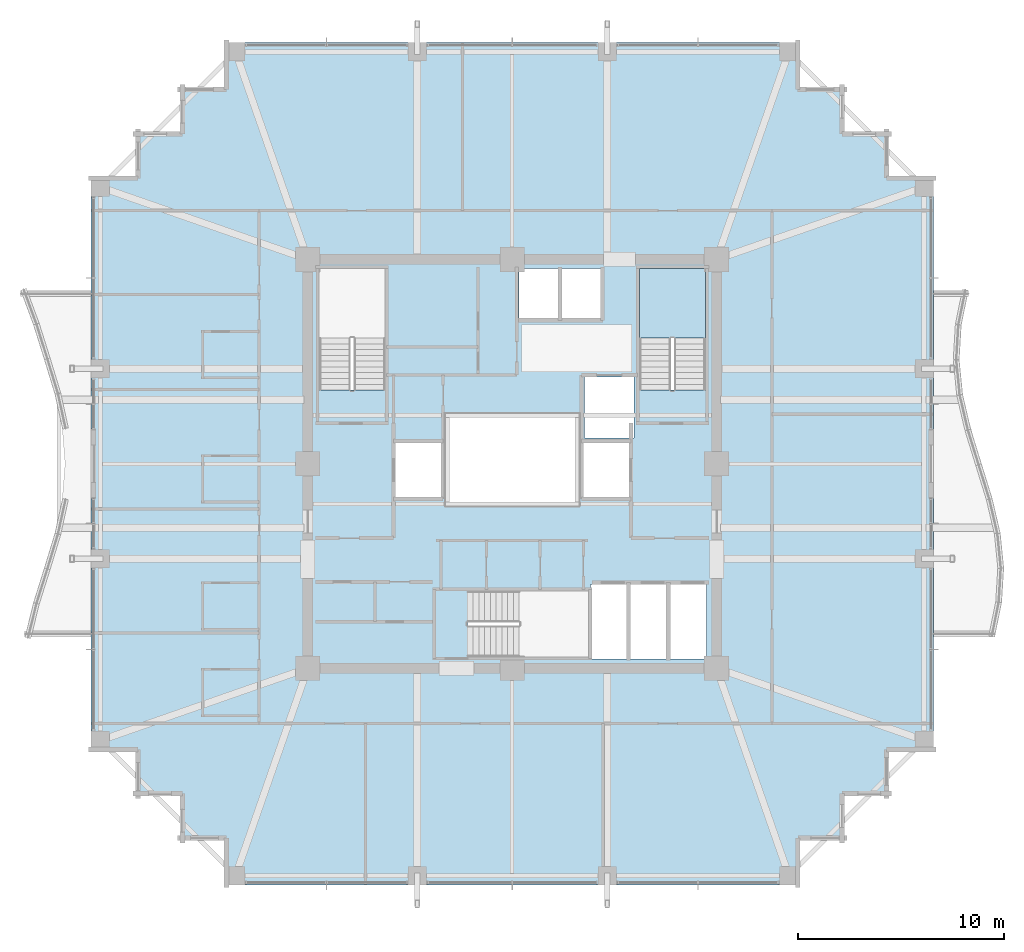
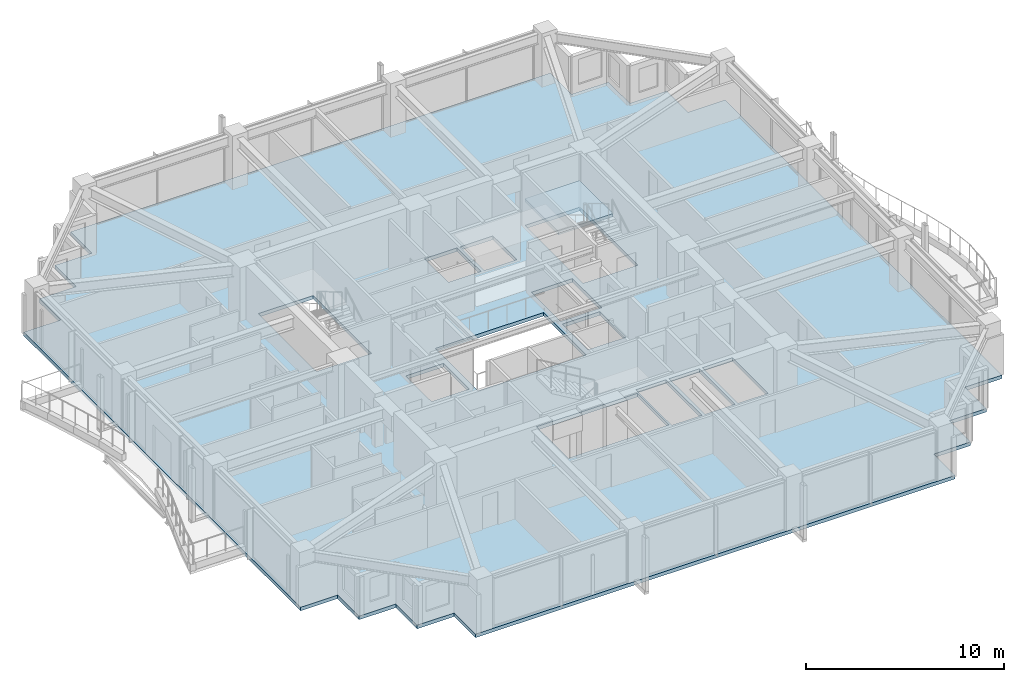
# One storey, part 25 of 35: 2 slabs, 1 element without a shape of its own.
"""IFC4 building model written with IfcOpenShell, lengths in metres."""

from ifc_helpers import new_model, si_unit, direction, frame, origin, place, context, subcontext, project, spatial, polyline, outline, extrude, material, layer, layer_set, type_object, element, aggregate, save


model = new_model("IFC4")

# Units and contexts
model_context = context("Model", 3, precision=1e-05, world=origin(), true_north=direction((0.0, 1.0)))
body_context = subcontext(model_context, "Body", "Model", "MODEL_VIEW")
ifc_project = project(units=[si_unit("LENGTHUNIT", "METRE"), si_unit("AREAUNIT", "SQUARE_METRE"), si_unit("VOLUMEUNIT", "CUBIC_METRE"), si_unit("PLANEANGLEUNIT", "RADIAN"), si_unit("MASSUNIT", "GRAM", prefix="KILO")], contexts=[model_context])

# Site, building, storey
site_placement = place(None, origin())
site = spatial("IfcSite", under=ifc_project, at=site_placement, CompositionType="ELEMENT")
building_placement = place(site_placement, origin())
building = spatial("IfcBuilding", under=site, at=building_placement, Name="Kolvaren Belvedere", CompositionType="ELEMENT")
storey_placement = place(building_placement, frame((0.0, 0.0, 183.300048828125)))
storey = spatial("IfcBuildingStorey", under=building, at=storey_placement, Name="L53", CompositionType="ELEMENT", Elevation=183.300048828125)

# Slab
ifc_material_1 = material(Name="Concrete C50/60", Category="concrete")
ifc_layer_1 = layer(ifc_material_1, 0.219970703125)
ifc_layer_set_1 = layer_set([ifc_layer_1], Name="Concrete C50/60")
slab_type_1 = type_object("IfcSlabType", Name="SL-FLR-220", PredefinedType="FLOOR", material=ifc_layer_set_1)
slab_1_placement = place(storey_placement, frame((0.0, 0.0, -0.219970703125)))
element("IfcSlab", 1, at=slab_1_placement, inside=storey, type_object=slab_type_1, Name="L53 Primary Structural Slab", PredefinedType="FLOOR", context=body_context, shape_type="SweptSolid", body=[
    extrude(outline(polyline([(-13.949951171875, -20.39990234375), (13.949951171875, -20.39990234375), (13.949951171875, -18.25), (16.10009765625, -18.25), (16.10009765625, -16.10009765625), (18.25, -16.10009765625), (18.25, -13.949951171875), (20.39990234375, -13.949951171875), (20.39990234375, 13.949951171875), (18.25, 13.949951171875), (18.25, 16.10009765625), (16.10009765625, 16.10009765625), (16.10009765625, 18.25), (13.949951171875, 18.25), (13.949951171875, 20.39990234375), (-13.949951171875, 20.39990234375), (-13.949951171875, 18.25), (-16.10009765625, 18.25), (-16.10009765625, 16.10009765625), (-18.25, 16.10009765625), (-18.25, 13.949951171875), (-20.39990234375, 13.949951171875), (-20.39990234375, -13.949951171875), (-18.25, -13.949951171875), (-18.25, -16.10009765625), (-16.10009765625, -16.10009765625), (-16.10009765625, -18.25), (-13.949951171875, -18.25), (-13.949951171875, -20.39990234375)]), holes=[polyline([(-9.35009765625, 3.580078125), (-6.159912109375, 3.580078125), (-6.159912109375, 9.449951171875), (-9.35009765625, 9.449951171875), (-9.35009765625, 3.580078125)]), polyline([(6.159912109375, 3.580078125), (9.35009765625, 3.580078125), (9.35009765625, 9.449951171875), (6.159912109375, 9.449951171875), (6.159912109375, 3.580078125)]), polyline([(-2.169921875, -9.35009765625), (3.699951171875, -9.35009765625), (3.699951171875, -6.159912109375), (-2.169921875, -6.159912109375), (-2.169921875, -9.35009765625)]), polyline([(-5.64990234375, -1.60009765625), (-3.449951171875, -1.60009765625), (-3.449951171875, 1.0), (-5.64990234375, 1.0), (-5.64990234375, -1.60009765625)]), polyline([(3.5, 1.25), (5.89990234375, 1.25), (5.89990234375, 4.199951171875), (3.5, 4.199951171875), (3.5, 1.25)]), polyline([(3.449951171875, -1.60009765625), (5.64990234375, -1.60009765625), (5.64990234375, 1.0), (3.449951171875, 1.0), (3.449951171875, -1.60009765625)]), polyline([(3.7900390625, -9.449951171875), (5.5400390625, -9.449951171875), (5.5400390625, -5.85009765625), (3.7900390625, -5.85009765625), (3.7900390625, -9.449951171875)]), polyline([(5.719970703125, -9.449951171875), (7.469970703125, -9.449951171875), (7.469970703125, -5.85009765625), (5.719970703125, -5.85009765625), (5.719970703125, -9.449951171875)]), polyline([(7.64990234375, -9.449951171875), (9.39990234375, -9.449951171875), (9.39990234375, -5.85009765625), (7.64990234375, -5.85009765625), (7.64990234375, -9.449951171875)]), polyline([(0.320068359375, 7.050048828125), (2.219970703125, 7.050048828125), (2.219970703125, 9.449951171875), (0.320068359375, 9.449951171875), (0.320068359375, 7.050048828125)]), polyline([(2.39990234375, 7.050048828125), (4.300048828125, 7.050048828125), (4.300048828125, 9.449951171875), (2.39990234375, 9.449951171875), (2.39990234375, 7.050048828125)]), polyline([(-3.14990234375, -1.949951171875), (3.14990234375, -1.949951171875), (3.14990234375, 2.35009765625), (-3.14990234375, 2.35009765625), (-3.14990234375, -1.949951171875)])]), origin(), (0.0, 0.0, 1.0), 0.219970703125),
])

# Stair, slab
ifc_material_2 = material(Name="Concrete C50/60", Category="concrete")
stair_type = type_object("IfcStairType", Name="ST-CORE-1520", PredefinedType="HALF_TURN_STAIR", material=ifc_material_2)
stair_placement = place(storey_placement, origin())
stair = element("IfcStair", 2, at=stair_placement, inside=storey, type_object=stair_type, Name="L53 Protected Exit Stair ST-2", PredefinedType="HALF_TURN_STAIR")
ifc_material_3 = material(Name="Concrete C50/60", Category="concrete")
ifc_layer_2 = layer(ifc_material_3, 0.260009765625)
ifc_layer_set_2 = layer_set([ifc_layer_2], Name="Concrete C50/60")
slab_type_2 = type_object("IfcSlabType", Name="SL-LAND-260", PredefinedType="LANDING", material=ifc_layer_set_2)
slab_2_placement = place(storey_placement, frame((0.0, 0.0, 1.449951171875)))
slab_2 = element("IfcSlab", 3, at=slab_2_placement, type_object=slab_type_2, Name="ST-2 landing 1", PredefinedType="LANDING", context=body_context, shape_type="SweptSolid", body=[
    extrude(outline(polyline([(9.35009765625, 6.090087890625), (9.35009765625, 9.449951171875), (6.159912109375, 9.449951171875), (6.159912109375, 6.090087890625), (9.35009765625, 6.090087890625)])), origin(), (0.0, 0.0, 1.0), 0.199951171875),
])
aggregate(stair, [slab_2])

save(model, "model.ifc")
